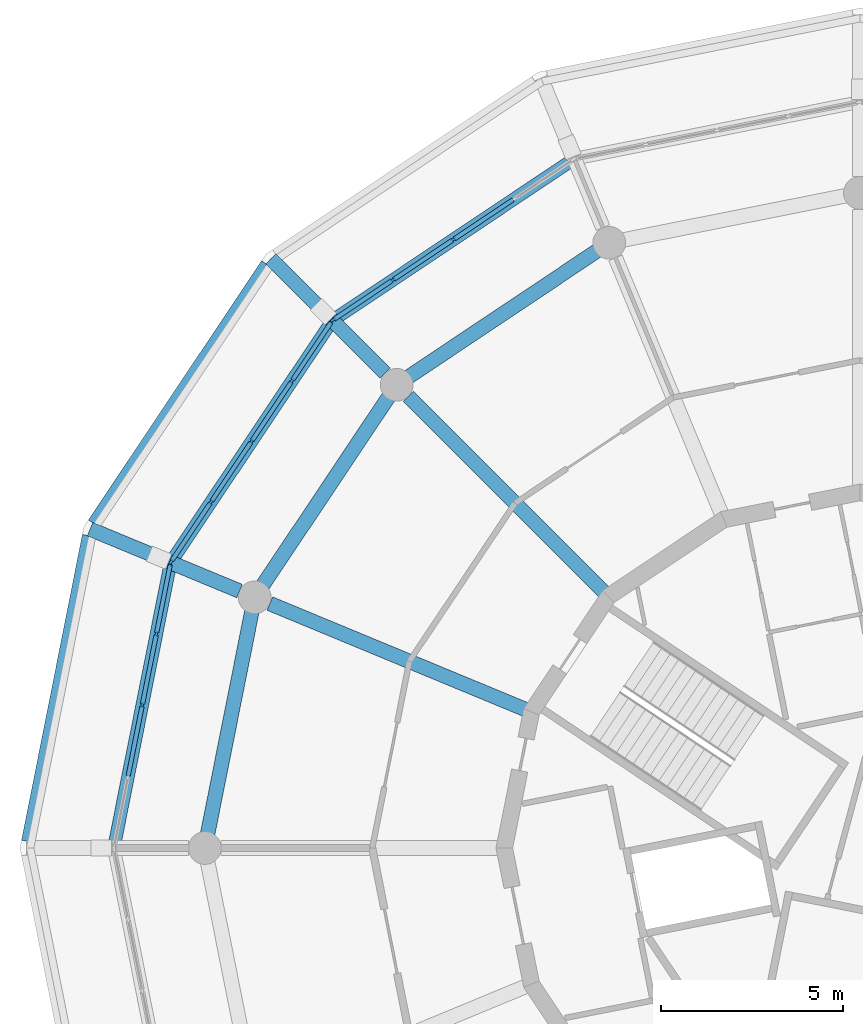
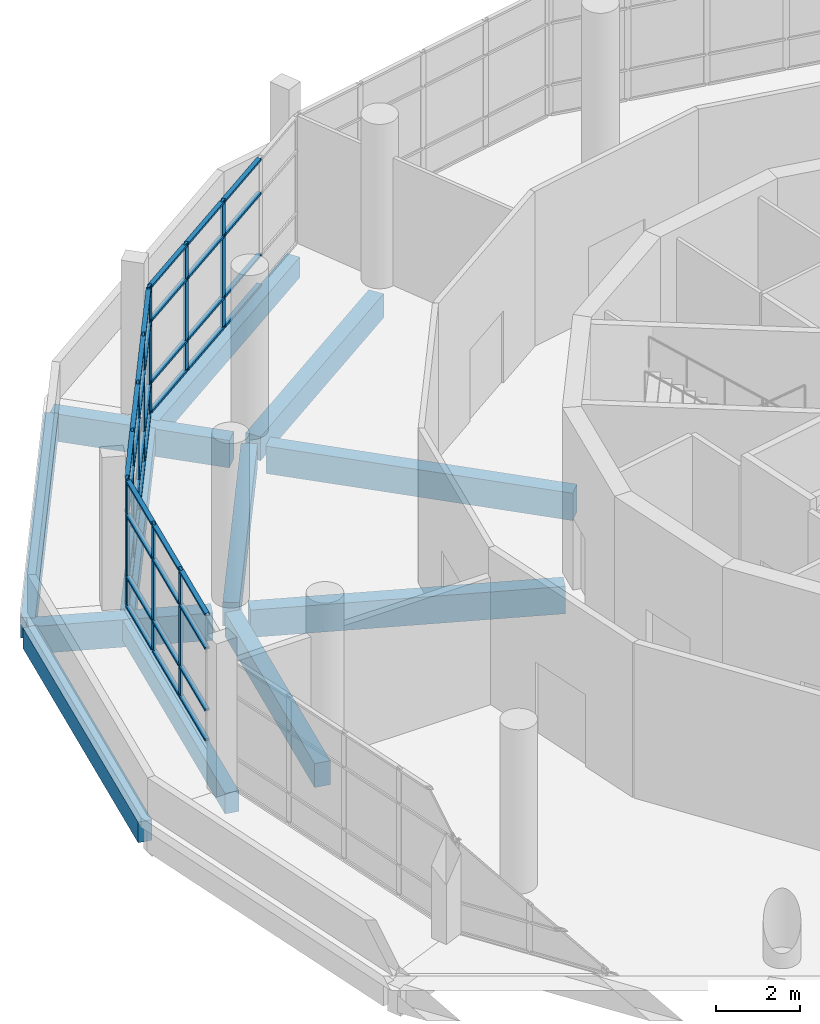
# One storey, part 8 of 21: 51 members, 12 beams, 3 elements without a shape of their own.
"""IFC4 building model written with IfcOpenShell, lengths in metres."""

import ifcopenshell
import ifcopenshell.guid

model = None  # the IFC model being written
_history = None  # IfcOwnerHistory: only IFC2X3 demands one
_inside = {}  # id of a spatial element -> (the spatial element, [elements in it])
_under = {}  # id of a project, library or spatial element -> (it, [spatial elements below it])
_declared = {}  # id of a project -> (the project, [libraries it declares])
_typed = {}  # id of a type object -> (the type object, [elements of that type])
_made_of = {}  # id of a material, layer set ... -> (it, [elements and type objects made of it])


def new_model(schema):
    """Start an empty IFC model of exactly this schema.

    Asked for "IFC4X3", IfcOpenShell would pick the latest addendum, in which some entities
    have other attributes; the version numbers below select the first issue.
    IFC2X3 requires an IfcOwnerHistory on every rooted entity: one is made here for all.
    """
    global model, _history
    if schema == "IFC4X3":
        model = ifcopenshell.file(schema_version=(4, 3, 0, 0))
    else:
        model = ifcopenshell.file(schema=schema)
    _inside.clear()
    _under.clear()
    _declared.clear()
    _typed.clear()
    _made_of.clear()
    _history = None
    if model.schema == "IFC2X3":
        org = make("IfcOrganization", Name="unknown")
        user = make(
            "IfcPersonAndOrganization",
            ThePerson=make("IfcPerson", FamilyName="unknown"),
            TheOrganization=org,
        )
        app = make(
            "IfcApplication",
            ApplicationDeveloper=org,
            Version="unknown",
            ApplicationFullName="unknown",
            ApplicationIdentifier="unknown",
        )
        _history = make(
            "IfcOwnerHistory",
            OwningUser=user,
            OwningApplication=app,
            ChangeAction="ADDED",
            CreationDate=0,
        )
    return model


def make(cls, **values):
    """One entity of the class cls with the attributes given. An attribute that is None is left unset."""
    return model.create_entity(
        cls, **{name: value for name, value in values.items() if value is not None}
    )


def rooted(cls, **values):
    """An entity with a GlobalId (a new one), such as an element, a storey or a relation."""
    return make(cls, GlobalId=ifcopenshell.guid.new(), OwnerHistory=_history, **values)


def si_unit(unit_type, name, prefix=None):
    """IfcSIUnit, for example si_unit("LENGTHUNIT", "METRE", prefix="MILLI")."""
    return make("IfcSIUnit", UnitType=unit_type, Prefix=prefix, Name=name)


def assignment(units):
    """IfcUnitAssignment: the units of a project."""
    return None if units is None else make("IfcUnitAssignment", Units=units)


def point(xyz):
    """IfcCartesianPoint."""
    return None if xyz is None else make("IfcCartesianPoint", Coordinates=xyz)


def direction(xyz):
    """IfcDirection."""
    return None if xyz is None else make("IfcDirection", DirectionRatios=xyz)


def frame(location, z_axis=None, x_axis=None):
    """IfcAxis2Placement3D, a coordinate frame: its origin and axes. An axis left out is left unset."""
    return make(
        "IfcAxis2Placement3D",
        Location=point(location),
        Axis=direction(z_axis),
        RefDirection=direction(x_axis),
    )


def frame_2d(location, x_axis=None):
    """IfcAxis2Placement2D, a coordinate frame in the plane: its origin and x axis."""
    return make(
        "IfcAxis2Placement2D", Location=point(location), RefDirection=direction(x_axis)
    )


def origin():
    """The frame at (0, 0, 0) with its axes left unset."""
    return frame((0.0, 0.0, 0.0))


def origin_2d():
    """The frame at (0, 0) in the plane with its x axis left unset."""
    return frame_2d((0.0, 0.0))


def place(relative_to, where):
    """IfcLocalPlacement: puts the frame where relative to a parent placement (None: the world)."""
    return make(
        "IfcLocalPlacement", PlacementRelTo=relative_to, RelativePlacement=where
    )


def context(
    kind, dimensions, precision=None, world=None, true_north=None, identifier=None
):
    """IfcGeometricRepresentationContext, for example the 3D "Model" context."""
    return make(
        "IfcGeometricRepresentationContext",
        ContextIdentifier=identifier,
        ContextType=kind,
        CoordinateSpaceDimension=dimensions,
        Precision=precision,
        WorldCoordinateSystem=world,
        TrueNorth=true_north,
    )


def subcontext(parent, identifier, kind, view, scale=None):
    """IfcGeometricRepresentationSubContext, for example "Body" below "Model"."""
    return make(
        "IfcGeometricRepresentationSubContext",
        ContextIdentifier=identifier,
        ContextType=kind,
        ParentContext=parent,
        TargetScale=scale,
        TargetView=view,
    )


def project(units=None, contexts=None):
    """IfcProject with its units and contexts."""
    return rooted(
        "IfcProject",
        Name="project",
        RepresentationContexts=contexts,
        UnitsInContext=assignment(units),
    )


def spatial(cls, under=None, at=None, **own):
    """A site, building, storey or space (cls), placed at a placement, below another one or the project."""
    s = rooted(cls, ObjectPlacement=at, **own)
    if under is not None:
        _under.setdefault(under.id(), (under, []))[1].append(s)
    return s


def profile(cls, at=None, kind="AREA", **sizes):
    """A parametric profile (cls). Its sizes go by their IFC names, for example OverallWidth=200.0."""
    return make(cls, ProfileType=kind, Position=at, **sizes)


def rectangle(**sizes):
    """IfcRectangleProfileDef."""
    return profile("IfcRectangleProfileDef", **sizes)


def extrude(swept, where, along, depth):
    """IfcExtrudedAreaSolid: the profile swept, set in the frame where, extruded along a direction by depth."""
    return make(
        "IfcExtrudedAreaSolid",
        SweptArea=swept,
        Position=where,
        ExtrudedDirection=direction(along),
        Depth=depth,
    )


def shape(context_of_items, identifier, shape_type, items):
    """IfcShapeRepresentation: the items that make up one representation, for example the "Body"."""
    return make(
        "IfcShapeRepresentation",
        ContextOfItems=context_of_items,
        RepresentationIdentifier=identifier,
        RepresentationType=shape_type,
        Items=items,
    )


def material(Name=None, Category=None):
    """IfcMaterial."""
    return make("IfcMaterial", Name=Name, Category=Category)


def material_profile(
    of_material, cross_section, Name=None, Category=None, Priority=None
):
    """IfcMaterialProfile: a cross section and its material."""
    return make(
        "IfcMaterialProfile",
        Name=Name,
        Material=of_material,
        Profile=cross_section,
        Priority=Priority,
        Category=Category,
    )


def profile_set(profiles, Name=None, composite=None):
    """IfcMaterialProfileSet."""
    return make(
        "IfcMaterialProfileSet",
        Name=Name,
        MaterialProfiles=profiles,
        CompositeProfile=composite,
    )


def made_of(thing, what):
    """Note that an element or type object is made of a material, layer set ...; save() writes the relation."""
    if what is not None:
        _made_of.setdefault(what.id(), (what, []))[1].append(thing)
    return thing


def type_object(cls, material=None, **own):
    """A type object (cls), such as IfcWallType, which elements share."""
    return made_of(rooted(cls, **own), material)


def element(
    cls,
    number,
    at=None,
    inside=None,
    cuts=None,
    type_object=None,
    material=None,
    context=None,
    identifier="Body",
    shape_type=None,
    held_by="IfcProductDefinitionShape",
    body=None,
    shapes=None,
    **own,
):
    """One element of the class cls, such as IfcWall. Its Tag is "e" and its number.

    at: its placement. inside: the storey or other place that contains it. cuts: it is an
    opening in that element (IfcRelVoidsElement). A single representation is given by context,
    identifier, shape_type and body (its items); several are given by shapes. held_by: the class
    of the entity that holds the representations. save() writes the other relations.
    """
    e = rooted(cls, Tag="e%d" % number, ObjectPlacement=at, **own)
    if body is not None:
        shapes = [shape(context, identifier, shape_type, body)]
    if shapes is not None:
        e.Representation = make(held_by, Representations=shapes)
    if inside is not None:
        _inside.setdefault(inside.id(), (inside, []))[1].append(e)
    if cuts is not None:
        rooted(
            "IfcRelVoidsElement", RelatingBuildingElement=cuts, RelatedOpeningElement=e
        )
    if type_object is not None:
        _typed.setdefault(type_object.id(), (type_object, []))[1].append(e)
    return made_of(e, material)


def aggregate(whole, parts):
    """IfcRelAggregates: a whole, such as a stair, and the parts it consists of."""
    return rooted("IfcRelAggregates", RelatingObject=whole, RelatedObjects=parts)


def save(model, path):
    """Write the relations noted so far, then the file.

    IfcRelAggregates (storeys below a building ...), IfcRelContainedInSpatialStructure (elements
    in a storey), IfcRelDefinesByType, IfcRelAssociatesMaterial and IfcRelDeclares: one each for
    every whole, place, type object, material and project.
    """
    for whole, parts in _under.values():
        aggregate(whole, parts)
    for where, things in _inside.values():
        rooted(
            "IfcRelContainedInSpatialStructure",
            RelatedElements=things,
            RelatingStructure=where,
        )
    for kind, things in _typed.values():
        rooted("IfcRelDefinesByType", RelatedObjects=things, RelatingType=kind)
    for what, things in _made_of.values():
        rooted("IfcRelAssociatesMaterial", RelatedObjects=things, RelatingMaterial=what)
    for by, libraries in _declared.values():
        rooted("IfcRelDeclares", RelatingContext=by, RelatedDefinitions=libraries)
    model.write(path)


model = new_model("IFC4")

# Units and contexts
model_context = context("Model", 3, precision=1e-05, world=origin(), true_north=direction((0.0, 1.0)))
body_context = subcontext(model_context, "Body", "Model", "MODEL_VIEW")
ifc_project = project(units=[si_unit("LENGTHUNIT", "METRE"), si_unit("AREAUNIT", "SQUARE_METRE"), si_unit("VOLUMEUNIT", "CUBIC_METRE"), si_unit("PLANEANGLEUNIT", "RADIAN"), si_unit("MASSUNIT", "GRAM", prefix="KILO")], contexts=[model_context])

# Site, building, storey
site_placement = place(None, origin())
site = spatial("IfcSite", under=ifc_project, at=site_placement, CompositionType="ELEMENT")
building_placement = place(site_placement, origin())
building = spatial("IfcBuilding", under=site, at=building_placement, Name="Ceibo Conservatory and Research Tower", CompositionType="ELEMENT")
storey_placement = place(building_placement, frame((0.0, 0.0, 15.60009765625)))
storey = spatial("IfcBuildingStorey", under=building, at=storey_placement, Name="L03", CompositionType="ELEMENT", Elevation=15.60009765625)

# Curtain wall, members
ifc_material_1 = material(Name="Aluminium and glass", Category="aluminium")
curtain_wall_type = type_object("IfcCurtainWallType", Name="Curtain wall CW1", PredefinedType="NOTDEFINED", material=ifc_material_1)
curtain_wall_1_placement = place(storey_placement, origin())
curtain_wall_1 = element("IfcCurtainWall", 1, at=curtain_wall_1_placement, inside=storey, type_object=curtain_wall_type, Name="CW-03.06", PredefinedType="NOTDEFINED")
ifc_material_2 = material(Name="Aluminium", Category="aluminium")
ifc_material_profile_1 = material_profile(ifc_material_2, rectangle(XDim=0.06005859375, YDim=0.159912109375, at=origin_2d()), Name="Aluminium 60 x 160")
ifc_profile_set_1 = profile_set([ifc_material_profile_1], Name="Aluminium")
member_type_1 = type_object("IfcMemberType", Name="Aluminium mullion 60 x 160", PredefinedType="MULLION", material=ifc_profile_set_1)
member_1_placement = place(storey_placement, frame((36.82958984375, 136.717529296875, 0.0), z_axis=(0.0, 0.0, 1.0), x_axis=(0.555570178092, -0.831469649004, 0.0)))
member_1 = element("IfcMember", 2, at=member_1_placement, type_object=member_type_1, Name="CW-03.06 mullion 3", PredefinedType="MULLION", context=body_context, shape_type="SweptSolid", body=[
    extrude(rectangle(XDim=0.06005859375, YDim=0.159912109375, at=origin_2d()), origin(), (0.0, 0.0, 1.0), 3.719970703125),
])
member_2_placement = place(storey_placement, frame((35.1669921875, 135.606689453125, 0.0), z_axis=(0.0, 0.0, 1.0), x_axis=(0.555570178092, -0.831469649004, 0.0)))
member_2 = element("IfcMember", 3, at=member_2_placement, type_object=member_type_1, Name="CW-03.06 mullion 4", PredefinedType="MULLION", context=body_context, shape_type="SweptSolid", body=[
    extrude(rectangle(XDim=0.06005859375, YDim=0.159912109375, at=origin_2d()), origin(), (0.0, 0.0, 1.0), 3.719970703125),
])
member_3_placement = place(storey_placement, frame((33.529296875, 134.512451171875, 0.0), z_axis=(0.0, 0.0, 1.0), x_axis=(0.555570178092, -0.831469649004, 0.0)))
member_3 = element("IfcMember", 4, at=member_3_placement, type_object=member_type_1, Name="CW-03.06 mullion 5", PredefinedType="MULLION", context=body_context, shape_type="SweptSolid", body=[
    extrude(rectangle(XDim=0.06005859375, YDim=0.159912109375, at=origin_2d()), origin(), (0.0, 0.0, 1.0), 3.719970703125),
])

curtain_wall_2_placement = place(storey_placement, origin())
curtain_wall_2 = element("IfcCurtainWall", 5, at=curtain_wall_2_placement, inside=storey, type_object=curtain_wall_type, Name="CW-03.07", PredefinedType="NOTDEFINED")
member_4_placement = place(storey_placement, frame((33.487548828125, 134.470703125, 0.0), z_axis=(0.0, 0.0, 1.0), x_axis=(0.831469649004, -0.555570178092, 0.0)))
member_4 = element("IfcMember", 6, at=member_4_placement, type_object=member_type_1, Name="CW-03.07 mullion 1", PredefinedType="MULLION", context=body_context, shape_type="SweptSolid", body=[
    extrude(rectangle(XDim=0.06005859375, YDim=0.159912109375, at=origin_2d()), origin(), (0.0, 0.0, 1.0), 3.719970703125),
])
member_5_placement = place(storey_placement, frame((32.393310546875, 132.8330078125, 0.0), z_axis=(0.0, 0.0, 1.0), x_axis=(0.831469649004, -0.555570178092, 0.0)))
member_5 = element("IfcMember", 7, at=member_5_placement, type_object=member_type_1, Name="CW-03.07 mullion 2", PredefinedType="MULLION", context=body_context, shape_type="SweptSolid", body=[
    extrude(rectangle(XDim=0.06005859375, YDim=0.159912109375, at=origin_2d()), origin(), (0.0, 0.0, 1.0), 3.719970703125),
])
member_6_placement = place(storey_placement, frame((31.282470703125, 131.17041015625, 0.0), z_axis=(0.0, 0.0, 1.0), x_axis=(0.831469649004, -0.555570178092, 0.0)))
member_6 = element("IfcMember", 8, at=member_6_placement, type_object=member_type_1, Name="CW-03.07 mullion 3", PredefinedType="MULLION", context=body_context, shape_type="SweptSolid", body=[
    extrude(rectangle(XDim=0.06005859375, YDim=0.159912109375, at=origin_2d()), origin(), (0.0, 0.0, 1.0), 3.719970703125),
])
member_7_placement = place(storey_placement, frame((30.17138671875, 129.507568359375, 0.0), z_axis=(0.0, 0.0, 1.0), x_axis=(0.831469649004, -0.555570178092, 0.0)))
member_7 = element("IfcMember", 9, at=member_7_placement, type_object=member_type_1, Name="CW-03.07 mullion 4", PredefinedType="MULLION", context=body_context, shape_type="SweptSolid", body=[
    extrude(rectangle(XDim=0.06005859375, YDim=0.159912109375, at=origin_2d()), origin(), (0.0, 0.0, 1.0), 3.719970703125),
])
member_8_placement = place(storey_placement, frame((29.0771484375, 127.869873046875, 0.0), z_axis=(0.0, 0.0, 1.0), x_axis=(0.831469649004, -0.555570178092, 0.0)))
member_8 = element("IfcMember", 10, at=member_8_placement, type_object=member_type_1, Name="CW-03.07 mullion 5", PredefinedType="MULLION", context=body_context, shape_type="SweptSolid", body=[
    extrude(rectangle(XDim=0.06005859375, YDim=0.159912109375, at=origin_2d()), origin(), (0.0, 0.0, 1.0), 3.719970703125),
])

curtain_wall_3_placement = place(storey_placement, origin())
curtain_wall_3 = element("IfcCurtainWall", 11, at=curtain_wall_3_placement, inside=storey, type_object=curtain_wall_type, Name="CW-03.08", PredefinedType="NOTDEFINED")
member_9_placement = place(storey_placement, frame((29.0546875, 127.815673828125, 0.0), z_axis=(0.0, 0.0, 1.0), x_axis=(0.980785268711, -0.195090380799, 0.0)))
member_9 = element("IfcMember", 12, at=member_9_placement, type_object=member_type_1, Name="CW-03.08 mullion 1", PredefinedType="MULLION", context=body_context, shape_type="SweptSolid", body=[
    extrude(rectangle(XDim=0.06005859375, YDim=0.159912109375, at=origin_2d()), origin(), (0.0, 0.0, 1.0), 3.719970703125),
])
member_10_placement = place(storey_placement, frame((28.67041015625, 125.8837890625, 0.0), z_axis=(0.0, 0.0, 1.0), x_axis=(0.980785268711, -0.195090380799, 0.0)))
member_10 = element("IfcMember", 13, at=member_10_placement, type_object=member_type_1, Name="CW-03.08 mullion 2", PredefinedType="MULLION", context=body_context, shape_type="SweptSolid", body=[
    extrude(rectangle(XDim=0.06005859375, YDim=0.159912109375, at=origin_2d()), origin(), (0.0, 0.0, 1.0), 3.719970703125),
])
member_11_placement = place(storey_placement, frame((28.2802734375, 123.922607421875, 0.0), z_axis=(0.0, 0.0, 1.0), x_axis=(0.980785268711, -0.195090380799, 0.0)))
member_11 = element("IfcMember", 14, at=member_11_placement, type_object=member_type_1, Name="CW-03.08 mullion 3", PredefinedType="MULLION", context=body_context, shape_type="SweptSolid", body=[
    extrude(rectangle(XDim=0.06005859375, YDim=0.159912109375, at=origin_2d()), origin(), (0.0, 0.0, 1.0), 3.719970703125),
])

# Member
ifc_material_profile_2 = material_profile(ifc_material_2, rectangle(XDim=0.1201171875, YDim=0.06005859375, at=origin_2d()), Name="Aluminium 60 x 120")
ifc_profile_set_2 = profile_set([ifc_material_profile_2], Name="Aluminium")
member_type_2 = type_object("IfcMemberType", Name="Aluminium transom 60 x 120", PredefinedType="USERDEFINED", material=ifc_profile_set_2)
member_12_placement = place(storey_placement, frame((38.46728515625, 137.81201171875, 0.02978515625), z_axis=(-0.831468919367, -0.55557127007, 0.0), x_axis=(0.55557127007, -0.831468919367, 0.0)))
member_12 = element("IfcMember", 15, at=member_12_placement, type_object=member_type_2, Name="CW-03.06 transom 2.1", ObjectType="TRANSOM", PredefinedType="USERDEFINED", context=body_context, shape_type="SweptSolid", body=[
    extrude(rectangle(XDim=0.1201171875, YDim=0.06005859375, at=origin_2d()), origin(), (0.0, 0.0, 1.0), 1.939697265625),
])

member_13_placement = place(storey_placement, frame((38.46728515625, 137.81201171875, 0.89990234375), z_axis=(-0.831468919367, -0.55557127007, 0.0), x_axis=(0.55557127007, -0.831468919367, 0.0)))
member_13 = element("IfcMember", 16, at=member_13_placement, type_object=member_type_2, Name="CW-03.06 transom 2.2", ObjectType="TRANSOM", PredefinedType="USERDEFINED", context=body_context, shape_type="SweptSolid", body=[
    extrude(rectangle(XDim=0.1201171875, YDim=0.06005859375, at=origin_2d()), origin(), (0.0, 0.0, 1.0), 1.939697265625),
])

member_14_placement = place(storey_placement, frame((38.46728515625, 137.81201171875, 2.699951171875), z_axis=(-0.831468919367, -0.55557127007, 0.0), x_axis=(0.55557127007, -0.831468919367, 0.0)))
member_14 = element("IfcMember", 17, at=member_14_placement, type_object=member_type_2, Name="CW-03.06 transom 2.3", ObjectType="TRANSOM", PredefinedType="USERDEFINED", context=body_context, shape_type="SweptSolid", body=[
    extrude(rectangle(XDim=0.1201171875, YDim=0.06005859375, at=origin_2d()), origin(), (0.0, 0.0, 1.0), 1.939697265625),
])

member_15_placement = place(storey_placement, frame((38.46728515625, 137.81201171875, 3.68994140625), z_axis=(-0.831468919367, -0.55557127007, 0.0), x_axis=(0.55557127007, -0.831468919367, 0.0)))
member_15 = element("IfcMember", 18, at=member_15_placement, type_object=member_type_2, Name="CW-03.06 transom 2.4", ObjectType="TRANSOM", PredefinedType="USERDEFINED", context=body_context, shape_type="SweptSolid", body=[
    extrude(rectangle(XDim=0.1201171875, YDim=0.06005859375, at=origin_2d()), origin(), (0.0, 0.0, 1.0), 1.939697265625),
])

member_16_placement = place(storey_placement, frame((36.8046875, 136.700927734375, 0.02978515625), z_axis=(-0.831468919367, -0.55557127007, 0.0), x_axis=(0.55557127007, -0.831468919367, 0.0)))
member_16 = element("IfcMember", 19, at=member_16_placement, type_object=member_type_2, Name="CW-03.06 transom 3.1", ObjectType="TRANSOM", PredefinedType="USERDEFINED", context=body_context, shape_type="SweptSolid", body=[
    extrude(rectangle(XDim=0.1201171875, YDim=0.06005859375, at=origin_2d()), origin(), (0.0, 0.0, 1.0), 1.939697265625),
])

member_17_placement = place(storey_placement, frame((36.8046875, 136.700927734375, 0.89990234375), z_axis=(-0.831468919367, -0.55557127007, 0.0), x_axis=(0.55557127007, -0.831468919367, 0.0)))
member_17 = element("IfcMember", 20, at=member_17_placement, type_object=member_type_2, Name="CW-03.06 transom 3.2", ObjectType="TRANSOM", PredefinedType="USERDEFINED", context=body_context, shape_type="SweptSolid", body=[
    extrude(rectangle(XDim=0.1201171875, YDim=0.06005859375, at=origin_2d()), origin(), (0.0, 0.0, 1.0), 1.939697265625),
])

member_18_placement = place(storey_placement, frame((36.8046875, 136.700927734375, 2.699951171875), z_axis=(-0.831468919367, -0.55557127007, 0.0), x_axis=(0.55557127007, -0.831468919367, 0.0)))
member_18 = element("IfcMember", 21, at=member_18_placement, type_object=member_type_2, Name="CW-03.06 transom 3.3", ObjectType="TRANSOM", PredefinedType="USERDEFINED", context=body_context, shape_type="SweptSolid", body=[
    extrude(rectangle(XDim=0.1201171875, YDim=0.06005859375, at=origin_2d()), origin(), (0.0, 0.0, 1.0), 1.939697265625),
])

member_19_placement = place(storey_placement, frame((36.8046875, 136.700927734375, 3.68994140625), z_axis=(-0.831468919367, -0.55557127007, 0.0), x_axis=(0.55557127007, -0.831468919367, 0.0)))
member_19 = element("IfcMember", 22, at=member_19_placement, type_object=member_type_2, Name="CW-03.06 transom 3.4", ObjectType="TRANSOM", PredefinedType="USERDEFINED", context=body_context, shape_type="SweptSolid", body=[
    extrude(rectangle(XDim=0.1201171875, YDim=0.06005859375, at=origin_2d()), origin(), (0.0, 0.0, 1.0), 1.939697265625),
])

member_20_placement = place(storey_placement, frame((35.14208984375, 135.590087890625, 0.02978515625), z_axis=(-0.831459801075, -0.555584916278, 0.0), x_axis=(0.555584916278, -0.831459801075, 0.0)))
member_20 = element("IfcMember", 23, at=member_20_placement, type_object=member_type_2, Name="CW-03.06 transom 4.1", ObjectType="TRANSOM", PredefinedType="USERDEFINED", context=body_context, shape_type="SweptSolid", body=[
    extrude(rectangle(XDim=0.1201171875, YDim=0.06005859375, at=origin_2d()), origin(), (0.0, 0.0, 1.0), 1.90966796875),
])

member_21_placement = place(storey_placement, frame((35.14208984375, 135.590087890625, 0.89990234375), z_axis=(-0.831459801075, -0.555584916278, 0.0), x_axis=(0.555584916278, -0.831459801075, 0.0)))
member_21 = element("IfcMember", 24, at=member_21_placement, type_object=member_type_2, Name="CW-03.06 transom 4.2", ObjectType="TRANSOM", PredefinedType="USERDEFINED", context=body_context, shape_type="SweptSolid", body=[
    extrude(rectangle(XDim=0.1201171875, YDim=0.06005859375, at=origin_2d()), origin(), (0.0, 0.0, 1.0), 1.90966796875),
])

member_22_placement = place(storey_placement, frame((35.14208984375, 135.590087890625, 2.699951171875), z_axis=(-0.831459801075, -0.555584916278, 0.0), x_axis=(0.555584916278, -0.831459801075, 0.0)))
member_22 = element("IfcMember", 25, at=member_22_placement, type_object=member_type_2, Name="CW-03.06 transom 4.3", ObjectType="TRANSOM", PredefinedType="USERDEFINED", context=body_context, shape_type="SweptSolid", body=[
    extrude(rectangle(XDim=0.1201171875, YDim=0.06005859375, at=origin_2d()), origin(), (0.0, 0.0, 1.0), 1.90966796875),
])

member_23_placement = place(storey_placement, frame((35.14208984375, 135.590087890625, 3.68994140625), z_axis=(-0.831459801075, -0.555584916278, 0.0), x_axis=(0.555584916278, -0.831459801075, 0.0)))
member_23 = element("IfcMember", 26, at=member_23_placement, type_object=member_type_2, Name="CW-03.06 transom 4.4", ObjectType="TRANSOM", PredefinedType="USERDEFINED", context=body_context, shape_type="SweptSolid", body=[
    extrude(rectangle(XDim=0.1201171875, YDim=0.06005859375, at=origin_2d()), origin(), (0.0, 0.0, 1.0), 1.90966796875),
])

aggregate(curtain_wall_1, [member_1, member_2, member_3, member_12, member_13, member_14, member_15, member_16, member_17, member_18, member_19, member_20, member_21, member_22, member_23])

member_24_placement = place(storey_placement, frame((33.470947265625, 134.44580078125, 0.02978515625), z_axis=(-0.555584916278, -0.831459801075, 0.0), x_axis=(0.831459801075, -0.555584916278, 0.0)))
member_24 = element("IfcMember", 27, at=member_24_placement, type_object=member_type_2, Name="CW-03.07 transom 1.1", ObjectType="TRANSOM", PredefinedType="USERDEFINED", context=body_context, shape_type="SweptSolid", body=[
    extrude(rectangle(XDim=0.1201171875, YDim=0.06005859375, at=origin_2d()), origin(), (0.0, 0.0, 1.0), 1.90966796875),
])

member_25_placement = place(storey_placement, frame((33.470947265625, 134.44580078125, 0.89990234375), z_axis=(-0.555584916278, -0.831459801075, 0.0), x_axis=(0.831459801075, -0.555584916278, 0.0)))
member_25 = element("IfcMember", 28, at=member_25_placement, type_object=member_type_2, Name="CW-03.07 transom 1.2", ObjectType="TRANSOM", PredefinedType="USERDEFINED", context=body_context, shape_type="SweptSolid", body=[
    extrude(rectangle(XDim=0.1201171875, YDim=0.06005859375, at=origin_2d()), origin(), (0.0, 0.0, 1.0), 1.90966796875),
])

member_26_placement = place(storey_placement, frame((33.470947265625, 134.44580078125, 2.699951171875), z_axis=(-0.555584916278, -0.831459801075, 0.0), x_axis=(0.831459801075, -0.555584916278, 0.0)))
member_26 = element("IfcMember", 29, at=member_26_placement, type_object=member_type_2, Name="CW-03.07 transom 1.3", ObjectType="TRANSOM", PredefinedType="USERDEFINED", context=body_context, shape_type="SweptSolid", body=[
    extrude(rectangle(XDim=0.1201171875, YDim=0.06005859375, at=origin_2d()), origin(), (0.0, 0.0, 1.0), 1.90966796875),
])

member_27_placement = place(storey_placement, frame((33.470947265625, 134.44580078125, 3.68994140625), z_axis=(-0.555584916278, -0.831459801075, 0.0), x_axis=(0.831459801075, -0.555584916278, 0.0)))
member_27 = element("IfcMember", 30, at=member_27_placement, type_object=member_type_2, Name="CW-03.07 transom 1.4", ObjectType="TRANSOM", PredefinedType="USERDEFINED", context=body_context, shape_type="SweptSolid", body=[
    extrude(rectangle(XDim=0.1201171875, YDim=0.06005859375, at=origin_2d()), origin(), (0.0, 0.0, 1.0), 1.90966796875),
])

member_28_placement = place(storey_placement, frame((32.376708984375, 132.80810546875, 0.02978515625), z_axis=(-0.55557127007, -0.831468919367, 0.0), x_axis=(0.831468919367, -0.55557127007, 0.0)))
member_28 = element("IfcMember", 31, at=member_28_placement, type_object=member_type_2, Name="CW-03.07 transom 2.1", ObjectType="TRANSOM", PredefinedType="USERDEFINED", context=body_context, shape_type="SweptSolid", body=[
    extrude(rectangle(XDim=0.1201171875, YDim=0.06005859375, at=origin_2d()), origin(), (0.0, 0.0, 1.0), 1.939697265625),
])

member_29_placement = place(storey_placement, frame((32.376708984375, 132.80810546875, 0.89990234375), z_axis=(-0.55557127007, -0.831468919367, 0.0), x_axis=(0.831468919367, -0.55557127007, 0.0)))
member_29 = element("IfcMember", 32, at=member_29_placement, type_object=member_type_2, Name="CW-03.07 transom 2.2", ObjectType="TRANSOM", PredefinedType="USERDEFINED", context=body_context, shape_type="SweptSolid", body=[
    extrude(rectangle(XDim=0.1201171875, YDim=0.06005859375, at=origin_2d()), origin(), (0.0, 0.0, 1.0), 1.939697265625),
])

member_30_placement = place(storey_placement, frame((32.376708984375, 132.80810546875, 2.699951171875), z_axis=(-0.55557127007, -0.831468919367, 0.0), x_axis=(0.831468919367, -0.55557127007, 0.0)))
member_30 = element("IfcMember", 33, at=member_30_placement, type_object=member_type_2, Name="CW-03.07 transom 2.3", ObjectType="TRANSOM", PredefinedType="USERDEFINED", context=body_context, shape_type="SweptSolid", body=[
    extrude(rectangle(XDim=0.1201171875, YDim=0.06005859375, at=origin_2d()), origin(), (0.0, 0.0, 1.0), 1.939697265625),
])

member_31_placement = place(storey_placement, frame((32.376708984375, 132.80810546875, 3.68994140625), z_axis=(-0.55557127007, -0.831468919367, 0.0), x_axis=(0.831468919367, -0.55557127007, 0.0)))
member_31 = element("IfcMember", 34, at=member_31_placement, type_object=member_type_2, Name="CW-03.07 transom 2.4", ObjectType="TRANSOM", PredefinedType="USERDEFINED", context=body_context, shape_type="SweptSolid", body=[
    extrude(rectangle(XDim=0.1201171875, YDim=0.06005859375, at=origin_2d()), origin(), (0.0, 0.0, 1.0), 1.939697265625),
])

member_32_placement = place(storey_placement, frame((31.265625, 131.1455078125, 0.02978515625), z_axis=(-0.55557127007, -0.831468919367, 0.0), x_axis=(0.831468919367, -0.55557127007, 0.0)))
member_32 = element("IfcMember", 35, at=member_32_placement, type_object=member_type_2, Name="CW-03.07 transom 3.1", ObjectType="TRANSOM", PredefinedType="USERDEFINED", context=body_context, shape_type="SweptSolid", body=[
    extrude(rectangle(XDim=0.1201171875, YDim=0.06005859375, at=origin_2d()), origin(), (0.0, 0.0, 1.0), 1.939697265625),
])

member_33_placement = place(storey_placement, frame((31.265625, 131.1455078125, 0.89990234375), z_axis=(-0.55557127007, -0.831468919367, 0.0), x_axis=(0.831468919367, -0.55557127007, 0.0)))
member_33 = element("IfcMember", 36, at=member_33_placement, type_object=member_type_2, Name="CW-03.07 transom 3.2", ObjectType="TRANSOM", PredefinedType="USERDEFINED", context=body_context, shape_type="SweptSolid", body=[
    extrude(rectangle(XDim=0.1201171875, YDim=0.06005859375, at=origin_2d()), origin(), (0.0, 0.0, 1.0), 1.939697265625),
])

member_34_placement = place(storey_placement, frame((31.265625, 131.1455078125, 2.699951171875), z_axis=(-0.55557127007, -0.831468919367, 0.0), x_axis=(0.831468919367, -0.55557127007, 0.0)))
member_34 = element("IfcMember", 37, at=member_34_placement, type_object=member_type_2, Name="CW-03.07 transom 3.3", ObjectType="TRANSOM", PredefinedType="USERDEFINED", context=body_context, shape_type="SweptSolid", body=[
    extrude(rectangle(XDim=0.1201171875, YDim=0.06005859375, at=origin_2d()), origin(), (0.0, 0.0, 1.0), 1.939697265625),
])

member_35_placement = place(storey_placement, frame((31.265625, 131.1455078125, 3.68994140625), z_axis=(-0.55557127007, -0.831468919367, 0.0), x_axis=(0.831468919367, -0.55557127007, 0.0)))
member_35 = element("IfcMember", 38, at=member_35_placement, type_object=member_type_2, Name="CW-03.07 transom 3.4", ObjectType="TRANSOM", PredefinedType="USERDEFINED", context=body_context, shape_type="SweptSolid", body=[
    extrude(rectangle(XDim=0.1201171875, YDim=0.06005859375, at=origin_2d()), origin(), (0.0, 0.0, 1.0), 1.939697265625),
])

member_36_placement = place(storey_placement, frame((30.15478515625, 129.482666015625, 0.02978515625), z_axis=(-0.555643975577, -0.831420334371, 0.0), x_axis=(0.831420334371, -0.555643975577, 0.0)))
member_36 = element("IfcMember", 39, at=member_36_placement, type_object=member_type_2, Name="CW-03.07 transom 4.1", ObjectType="TRANSOM", PredefinedType="USERDEFINED", context=body_context, shape_type="SweptSolid", body=[
    extrude(rectangle(XDim=0.1201171875, YDim=0.06005859375, at=origin_2d()), origin(), (0.0, 0.0, 1.0), 1.90966796875),
])

member_37_placement = place(storey_placement, frame((30.15478515625, 129.482666015625, 0.89990234375), z_axis=(-0.555643975577, -0.831420334371, 0.0), x_axis=(0.831420334371, -0.555643975577, 0.0)))
member_37 = element("IfcMember", 40, at=member_37_placement, type_object=member_type_2, Name="CW-03.07 transom 4.2", ObjectType="TRANSOM", PredefinedType="USERDEFINED", context=body_context, shape_type="SweptSolid", body=[
    extrude(rectangle(XDim=0.1201171875, YDim=0.06005859375, at=origin_2d()), origin(), (0.0, 0.0, 1.0), 1.90966796875),
])

member_38_placement = place(storey_placement, frame((30.15478515625, 129.482666015625, 2.699951171875), z_axis=(-0.555643975577, -0.831420334371, 0.0), x_axis=(0.831420334371, -0.555643975577, 0.0)))
member_38 = element("IfcMember", 41, at=member_38_placement, type_object=member_type_2, Name="CW-03.07 transom 4.3", ObjectType="TRANSOM", PredefinedType="USERDEFINED", context=body_context, shape_type="SweptSolid", body=[
    extrude(rectangle(XDim=0.1201171875, YDim=0.06005859375, at=origin_2d()), origin(), (0.0, 0.0, 1.0), 1.90966796875),
])

member_39_placement = place(storey_placement, frame((30.15478515625, 129.482666015625, 3.68994140625), z_axis=(-0.555643975577, -0.831420334371, 0.0), x_axis=(0.831420334371, -0.555643975577, 0.0)))
member_39 = element("IfcMember", 42, at=member_39_placement, type_object=member_type_2, Name="CW-03.07 transom 4.4", ObjectType="TRANSOM", PredefinedType="USERDEFINED", context=body_context, shape_type="SweptSolid", body=[
    extrude(rectangle(XDim=0.1201171875, YDim=0.06005859375, at=origin_2d()), origin(), (0.0, 0.0, 1.0), 1.90966796875),
])

aggregate(curtain_wall_2, [member_4, member_5, member_6, member_7, member_8, member_24, member_25, member_26, member_27, member_28, member_29, member_30, member_31, member_32, member_33, member_34, member_35, member_36, member_37, member_38, member_39])

member_40_placement = place(storey_placement, frame((29.048828125, 127.7861328125, 0.02978515625), z_axis=(-0.195083474499, -0.980786642434, 0.0), x_axis=(0.980786642434, -0.195083474499, 0.0)))
member_40 = element("IfcMember", 43, at=member_40_placement, type_object=member_type_2, Name="CW-03.08 transom 1.1", ObjectType="TRANSOM", PredefinedType="USERDEFINED", context=body_context, shape_type="SweptSolid", body=[
    extrude(rectangle(XDim=0.1201171875, YDim=0.06005859375, at=origin_2d()), origin(), (0.0, 0.0, 1.0), 1.90966796875),
])

member_41_placement = place(storey_placement, frame((29.048828125, 127.7861328125, 0.89990234375), z_axis=(-0.195083474499, -0.980786642434, 0.0), x_axis=(0.980786642434, -0.195083474499, 0.0)))
member_41 = element("IfcMember", 44, at=member_41_placement, type_object=member_type_2, Name="CW-03.08 transom 1.2", ObjectType="TRANSOM", PredefinedType="USERDEFINED", context=body_context, shape_type="SweptSolid", body=[
    extrude(rectangle(XDim=0.1201171875, YDim=0.06005859375, at=origin_2d()), origin(), (0.0, 0.0, 1.0), 1.90966796875),
])

member_42_placement = place(storey_placement, frame((29.048828125, 127.7861328125, 2.699951171875), z_axis=(-0.195083474499, -0.980786642434, 0.0), x_axis=(0.980786642434, -0.195083474499, 0.0)))
member_42 = element("IfcMember", 45, at=member_42_placement, type_object=member_type_2, Name="CW-03.08 transom 1.3", ObjectType="TRANSOM", PredefinedType="USERDEFINED", context=body_context, shape_type="SweptSolid", body=[
    extrude(rectangle(XDim=0.1201171875, YDim=0.06005859375, at=origin_2d()), origin(), (0.0, 0.0, 1.0), 1.90966796875),
])

member_43_placement = place(storey_placement, frame((29.048828125, 127.7861328125, 3.68994140625), z_axis=(-0.195083474499, -0.980786642434, 0.0), x_axis=(0.980786642434, -0.195083474499, 0.0)))
member_43 = element("IfcMember", 46, at=member_43_placement, type_object=member_type_2, Name="CW-03.08 transom 1.4", ObjectType="TRANSOM", PredefinedType="USERDEFINED", context=body_context, shape_type="SweptSolid", body=[
    extrude(rectangle(XDim=0.1201171875, YDim=0.06005859375, at=origin_2d()), origin(), (0.0, 0.0, 1.0), 1.90966796875),
])

member_44_placement = place(storey_placement, frame((28.66455078125, 125.854248046875, 0.02978515625), z_axis=(-0.195099382826, -0.980783478053, 0.0), x_axis=(0.980783478053, -0.195099382826, 0.0)))
member_44 = element("IfcMember", 47, at=member_44_placement, type_object=member_type_2, Name="CW-03.08 transom 2.1", ObjectType="TRANSOM", PredefinedType="USERDEFINED", context=body_context, shape_type="SweptSolid", body=[
    extrude(rectangle(XDim=0.1201171875, YDim=0.06005859375, at=origin_2d()), origin(), (0.0, 0.0, 1.0), 1.939697265625),
])

member_45_placement = place(storey_placement, frame((28.66455078125, 125.854248046875, 0.89990234375), z_axis=(-0.195099382826, -0.980783478053, 0.0), x_axis=(0.980783478053, -0.195099382826, 0.0)))
member_45 = element("IfcMember", 48, at=member_45_placement, type_object=member_type_2, Name="CW-03.08 transom 2.2", ObjectType="TRANSOM", PredefinedType="USERDEFINED", context=body_context, shape_type="SweptSolid", body=[
    extrude(rectangle(XDim=0.1201171875, YDim=0.06005859375, at=origin_2d()), origin(), (0.0, 0.0, 1.0), 1.939697265625),
])

member_46_placement = place(storey_placement, frame((28.66455078125, 125.854248046875, 2.699951171875), z_axis=(-0.195099382826, -0.980783478053, 0.0), x_axis=(0.980783478053, -0.195099382826, 0.0)))
member_46 = element("IfcMember", 49, at=member_46_placement, type_object=member_type_2, Name="CW-03.08 transom 2.3", ObjectType="TRANSOM", PredefinedType="USERDEFINED", context=body_context, shape_type="SweptSolid", body=[
    extrude(rectangle(XDim=0.1201171875, YDim=0.06005859375, at=origin_2d()), origin(), (0.0, 0.0, 1.0), 1.939697265625),
])

member_47_placement = place(storey_placement, frame((28.66455078125, 125.854248046875, 3.68994140625), z_axis=(-0.195099382826, -0.980783478053, 0.0), x_axis=(0.980783478053, -0.195099382826, 0.0)))
member_47 = element("IfcMember", 50, at=member_47_placement, type_object=member_type_2, Name="CW-03.08 transom 2.4", ObjectType="TRANSOM", PredefinedType="USERDEFINED", context=body_context, shape_type="SweptSolid", body=[
    extrude(rectangle(XDim=0.1201171875, YDim=0.06005859375, at=origin_2d()), origin(), (0.0, 0.0, 1.0), 1.939697265625),
])

member_48_placement = place(storey_placement, frame((28.2744140625, 123.89306640625, 0.02978515625), z_axis=(-0.195099382826, -0.980783478053, 0.0), x_axis=(0.980783478053, -0.195099382826, 0.0)))
member_48 = element("IfcMember", 51, at=member_48_placement, type_object=member_type_2, Name="CW-03.08 transom 3.1", ObjectType="TRANSOM", PredefinedType="USERDEFINED", context=body_context, shape_type="SweptSolid", body=[
    extrude(rectangle(XDim=0.1201171875, YDim=0.06005859375, at=origin_2d()), origin(), (0.0, 0.0, 1.0), 1.939697265625),
])

member_49_placement = place(storey_placement, frame((28.2744140625, 123.89306640625, 0.89990234375), z_axis=(-0.195099382826, -0.980783478053, 0.0), x_axis=(0.980783478053, -0.195099382826, 0.0)))
member_49 = element("IfcMember", 52, at=member_49_placement, type_object=member_type_2, Name="CW-03.08 transom 3.2", ObjectType="TRANSOM", PredefinedType="USERDEFINED", context=body_context, shape_type="SweptSolid", body=[
    extrude(rectangle(XDim=0.1201171875, YDim=0.06005859375, at=origin_2d()), origin(), (0.0, 0.0, 1.0), 1.939697265625),
])

member_50_placement = place(storey_placement, frame((28.2744140625, 123.89306640625, 2.699951171875), z_axis=(-0.195099382826, -0.980783478053, 0.0), x_axis=(0.980783478053, -0.195099382826, 0.0)))
member_50 = element("IfcMember", 53, at=member_50_placement, type_object=member_type_2, Name="CW-03.08 transom 3.3", ObjectType="TRANSOM", PredefinedType="USERDEFINED", context=body_context, shape_type="SweptSolid", body=[
    extrude(rectangle(XDim=0.1201171875, YDim=0.06005859375, at=origin_2d()), origin(), (0.0, 0.0, 1.0), 1.939697265625),
])

member_51_placement = place(storey_placement, frame((28.2744140625, 123.89306640625, 3.68994140625), z_axis=(-0.195099382826, -0.980783478053, 0.0), x_axis=(0.980783478053, -0.195099382826, 0.0)))
member_51 = element("IfcMember", 54, at=member_51_placement, type_object=member_type_2, Name="CW-03.08 transom 3.4", ObjectType="TRANSOM", PredefinedType="USERDEFINED", context=body_context, shape_type="SweptSolid", body=[
    extrude(rectangle(XDim=0.1201171875, YDim=0.06005859375, at=origin_2d()), origin(), (0.0, 0.0, 1.0), 1.939697265625),
])

aggregate(curtain_wall_3, [member_9, member_10, member_11, member_40, member_41, member_42, member_43, member_44, member_45, member_46, member_47, member_48, member_49, member_50, member_51])

# Beams
ifc_material_3 = material(Name="Concrete C35/45", Category="concrete")
ifc_material_profile_3 = material_profile(ifc_material_3, rectangle(XDim=0.35009765625, YDim=0.60009765625, at=origin_2d()), Name="RC 350x600")
ifc_profile_set_3 = profile_set([ifc_material_profile_3], Name="Concrete C35/45")
beam_type_1 = type_object("IfcBeamType", Name="RC beam 350x600 C35", PredefinedType="BEAM", material=ifc_profile_set_3)
for number, where, z_axis, x_axis, name in (
    (55, (40.001953125, 138.83740234375, -0.580078125), (-0.831464091312, -0.555578495676, 0.0), (0.555578495676, -0.831464091312, 0.0), "Edge beam 06 L03"),
    (56, (33.402099609375, 134.3427734375, -0.580078125), (-0.555578495676, -0.831464091312, 0.0), (0.831464091312, -0.555578495676, 0.0), "Edge beam 07 L03"),
    (57, (29.024658203125, 127.66455078125, -0.580078125), (-0.195100828433, -0.980783190489, 0.0), (0.980783190489, -0.195100828433, 0.0), "Edge beam 08 L03"),
):
    element("IfcBeam", number, at=place(storey_placement, frame(where, z_axis=z_axis, x_axis=x_axis)), inside=storey, type_object=beam_type_1, Name=name, PredefinedType="BEAM", context=body_context, shape_type="SweptSolid", body=[
        extrude(rectangle(XDim=0.35009765625, YDim=0.60009765625, at=origin_2d()), origin(), (0.0, 0.0, 1.0), 7.630859375),
    ])
beam_1_placement = place(storey_placement, frame((31.705078125, 136.039794921875, -0.580078125), z_axis=(-0.555567941866, -0.831471143198, 0.0), x_axis=(0.831471143198, -0.555567941866, 0.0)))
element("IfcBeam", 58, at=beam_1_placement, inside=storey, type_object=beam_type_1, Name="Edge beam 07 L03", PredefinedType="BEAM", context=body_context, shape_type="SweptSolid", body=[
    extrude(rectangle(XDim=0.35009765625, YDim=0.60009765625, at=origin_2d()), origin(), (0.0, 0.0, 1.0), 8.5673828125),
])
beam_2_placement = place(storey_placement, frame((26.807373046875, 128.5830078125, -0.580078125), z_axis=(-0.195091228051, -0.980785100181, 0.0), x_axis=(0.980785100181, -0.195091228051, 0.0)))
element("IfcBeam", 59, at=beam_2_placement, inside=storey, type_object=beam_type_1, Name="Edge beam 08 L03", PredefinedType="BEAM", context=body_context, shape_type="SweptSolid", body=[
    extrude(rectangle(XDim=0.35009765625, YDim=0.60009765625, at=origin_2d()), origin(), (0.0, 0.0, 1.0), 8.567138671875),
])
ifc_material_profile_4 = material_profile(ifc_material_3, rectangle(XDim=0.39990234375, YDim=0.699951171875, at=origin_2d()), Name="RC 400x700")
ifc_profile_set_4 = profile_set([ifc_material_profile_4], Name="Concrete C35/45")
beam_type_2 = type_object("IfcBeamType", Name="RC beam 400x700 C35", PredefinedType="BEAM", material=ifc_profile_set_4)
for number, where, z_axis, x_axis, name in (
    (60, (40.958740234375, 136.527587890625, -0.630126953125), (-0.83146854485, -0.555571830572, 0.0), (0.555571830572, -0.83146854485, 0.0), "Ring beam 06 L03"),
    (61, (35.169921875, 132.574951171875, -0.630126953125), (-0.555571830572, -0.83146854485, 0.0), (0.83146854485, -0.555571830572, 0.0), "Ring beam 07 L03"),
):
    element("IfcBeam", number, at=place(storey_placement, frame(where, z_axis=z_axis, x_axis=x_axis)), inside=storey, type_object=beam_type_2, Name=name, PredefinedType="BEAM", context=body_context, shape_type="SweptSolid", body=[
        extrude(rectangle(XDim=0.39990234375, YDim=0.699951171875, at=origin_2d()), origin(), (0.0, 0.0, 1.0), 6.6552734375),
    ])
beam_3_placement = place(storey_placement, frame((31.334228515625, 126.7080078125, -0.630126953125), z_axis=(-0.19507903146, -0.980787526167, 0.0), x_axis=(0.980787526167, -0.19507903146, 0.0)))
element("IfcBeam", 62, at=beam_3_placement, inside=storey, type_object=beam_type_2, Name="Ring beam 08 L03", PredefinedType="BEAM", context=body_context, shape_type="SweptSolid", body=[
    extrude(rectangle(XDim=0.39990234375, YDim=0.699951171875, at=origin_2d()), origin(), (0.0, 0.0, 1.0), 6.655517578125),
])
ifc_material_profile_5 = material_profile(ifc_material_3, rectangle(XDim=0.39990234375, YDim=0.800048828125, at=origin_2d()), Name="RC 400x800")
ifc_profile_set_5 = profile_set([ifc_material_profile_5], Name="Concrete C35/45")
beam_type_3 = type_object("IfcBeamType", Name="RC beam 400x800 C35", PredefinedType="BEAM", material=ifc_profile_set_5)
for number, where, z_axis, x_axis, name in (
    (63, (40.96435546875, 127.03564453125, -0.68017578125), (-0.707106781187, 0.707106781187, 0.0), (-0.707106781187, -0.707106781187, 0.0), "Radial beam R7 L03"),
    (64, (38.807373046875, 123.8076171875, -0.68017578125), (-0.923877057182, 0.382689408283, 0.0), (-0.382689408283, -0.923877057182, 0.0), "Radial beam R8 L03"),
):
    element("IfcBeam", number, at=place(storey_placement, frame(where, z_axis=z_axis, x_axis=x_axis)), inside=storey, type_object=beam_type_3, Name=name, PredefinedType="BEAM", context=body_context, shape_type="SweptSolid", body=[
        extrude(rectangle(XDim=0.39990234375, YDim=0.800048828125, at=origin_2d()), origin(), (0.0, 0.0, 1.0), 7.60009765625),
    ])
ifc_material_profile_6 = material_profile(ifc_material_3, rectangle(XDim=0.39990234375, YDim=0.800048828125, at=origin_2d()), Name="RC 400x800")
ifc_profile_set_6 = profile_set([ifc_material_profile_6], Name="Concrete C35/45")
beam_type_4 = type_object("IfcBeamType", Name="RC cantilever beam 400x800 C35", PredefinedType="BEAM", material=ifc_profile_set_6)
for number, where, z_axis, x_axis, name in (
    (65, (34.953857421875, 133.046142578125, -0.68017578125), (-0.707106781187, 0.707106781187, 0.0), (-0.707106781187, -0.707106781187, 0.0), "Radial cantilever beam R7 L03"),
    (66, (30.954345703125, 127.060546875, -0.68017578125), (-0.92388897624, 0.382660632392, 0.0), (-0.382660632392, -0.92388897624, 0.0), "Radial cantilever beam R8 L03"),
):
    element("IfcBeam", number, at=place(storey_placement, frame(where, z_axis=z_axis, x_axis=x_axis)), inside=storey, type_object=beam_type_4, Name=name, PredefinedType="BEAM", context=body_context, shape_type="SweptSolid", body=[
        extrude(rectangle(XDim=0.39990234375, YDim=0.800048828125, at=origin_2d()), origin(), (0.0, 0.0, 1.0), 4.445068359375),
    ])

save(model, "model.ifc")
